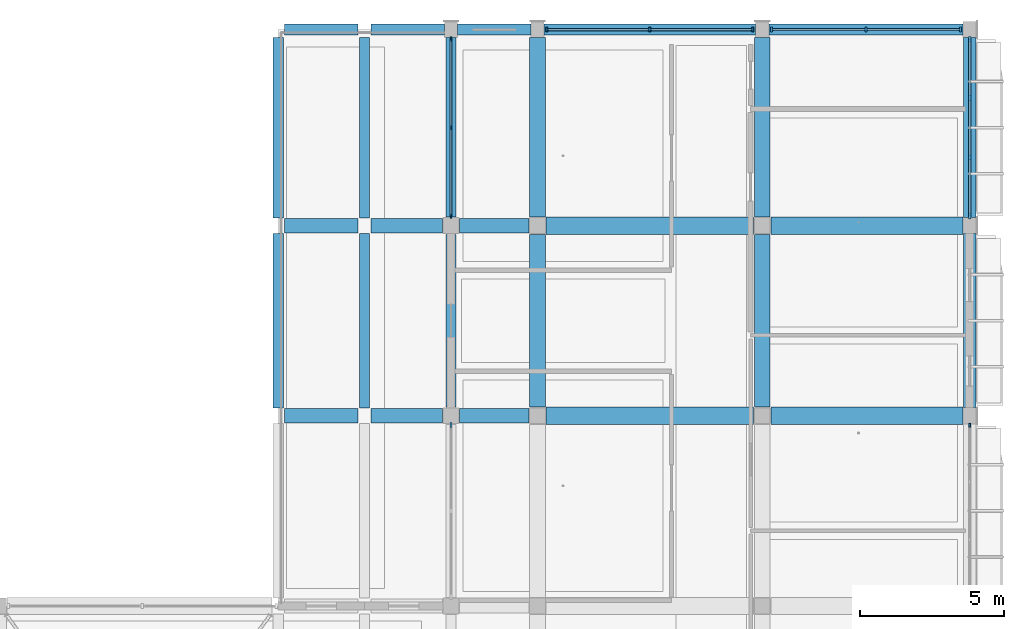
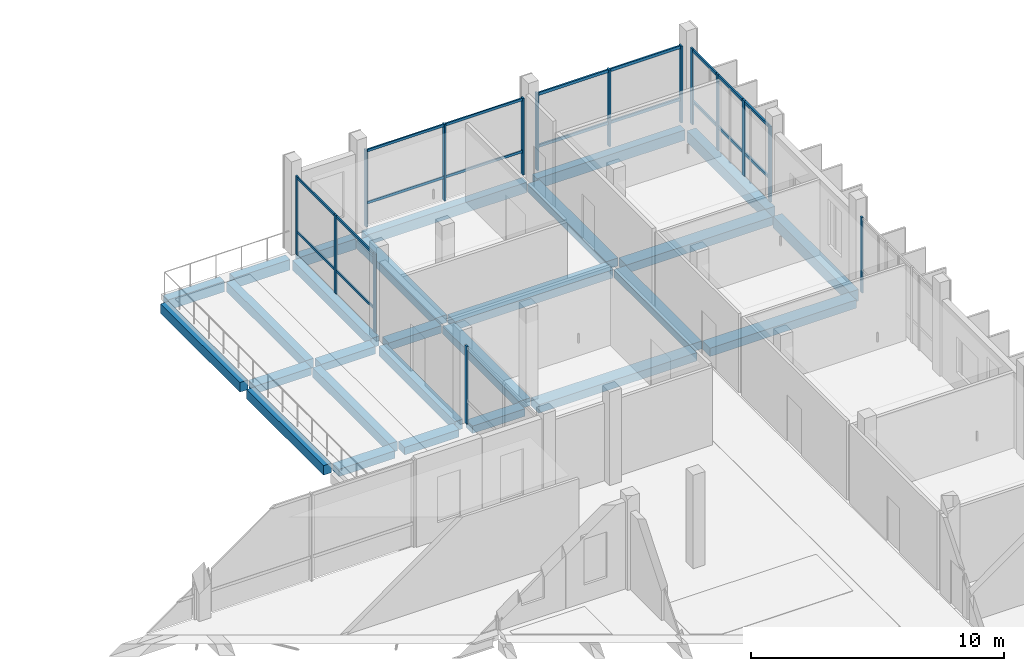
# One storey, part 42 of 95: 27 beams, 23 members, 6 elements without a shape of their own.
"""IFC4 building model written with IfcOpenShell, lengths in metres."""

from ifc_helpers import new_model, si_unit, derived_unit, direction, frame, origin, origin_2d, place, context, subcontext, project, spatial, rectangle, extrude, material, material_profile, profile_set, type_object, element, aggregate, save


model = new_model("IFC4")

# Units and contexts
model_context = context("Model", 3, precision=1e-05, world=origin(), true_north=direction((0.0, 1.0)))
body_context = subcontext(model_context, "Body", "Model", "MODEL_VIEW")
ifc_project = project(units=[si_unit("LENGTHUNIT", "METRE"), si_unit("AREAUNIT", "SQUARE_METRE"), si_unit("VOLUMEUNIT", "CUBIC_METRE"), si_unit("PLANEANGLEUNIT", "RADIAN"), si_unit("MASSUNIT", "GRAM", prefix="KILO"), derived_unit("THERMALTRANSMITTANCEUNIT", [(si_unit("POWERUNIT", "WATT"), 1), (si_unit("LENGTHUNIT", "METRE"), -2), (si_unit("THERMODYNAMICTEMPERATUREUNIT", "KELVIN"), -1)])], contexts=[model_context])

# Site, building, storey
site_placement = place(None, origin())
site = spatial("IfcSite", under=ifc_project, at=site_placement, CompositionType="ELEMENT")
building_placement = place(site_placement, origin())
building = spatial("IfcBuilding", under=site, at=building_placement, Name="Braskholm Square Health Centre", CompositionType="ELEMENT")
storey_placement = place(building_placement, frame((0.0, 0.0, 4.800048828125)))
storey = spatial("IfcBuildingStorey", under=building, at=storey_placement, Name="L02", CompositionType="ELEMENT", Elevation=4.800048828125)

# Curtain wall, member
ifc_material_1 = material(Name="Low-E triple insulating glass (VLT 0.64)", Category="glass")
curtain_wall_type_1 = type_object("IfcCurtainWallType", Name="UnitisedCurtainWall6200x3650", PredefinedType="NOTDEFINED", material=ifc_material_1)
curtain_wall_1_placement = place(storey_placement, origin())
curtain_wall_1 = element("IfcCurtainWall", 1, at=curtain_wall_1_placement, inside=storey, type_object=curtain_wall_type_1, Name="East Outer unitised curtain wall CW-L02-0058", PredefinedType="NOTDEFINED")
ifc_material_2 = material(Name="Architectural bronze anodised aluminium", Category="aluminium")
ifc_material_profile_1 = material_profile(ifc_material_2, rectangle(XDim=0.06494140625, YDim=0.14990234375, at=origin_2d()), Name="ALU-65X150")
ifc_profile_set_1 = profile_set([ifc_material_profile_1], Name="Architectural bronze anodised aluminium")
member_type_1 = type_object("IfcMemberType", Name="CurtainWallMullion65x150", PredefinedType="MULLION", material=ifc_profile_set_1)
member_1_placement = place(storey_placement, frame((163.800048828125, 100.073974609375, 0.0), z_axis=(0.0, 0.0, 1.0), x_axis=(1.0, 0.0, 0.0)))
member_1 = element("IfcMember", 2, at=member_1_placement, type_object=member_type_1, Name="CW-L02-0058 vertical mullion 4", PredefinedType="MULLION", context=body_context, shape_type="SweptSolid", body=[
    extrude(rectangle(XDim=0.06494140625, YDim=0.14990234375, at=origin_2d()), origin(), (0.0, 0.0, 1.0), 3.64990234375),
])
aggregate(curtain_wall_1, [member_1])

# Curtain wall, members
curtain_wall_type_2 = type_object("IfcCurtainWallType", Name="UnitisedCurtainWall6200x3800", PredefinedType="NOTDEFINED", material=ifc_material_1)
curtain_wall_2_placement = place(storey_placement, origin())
curtain_wall_2 = element("IfcCurtainWall", 3, at=curtain_wall_2_placement, inside=storey, type_object=curtain_wall_type_2, Name="East Valley unitised curtain wall CW-L02-0122", PredefinedType="NOTDEFINED")
member_2_placement = place(storey_placement, frame((145.800048828125, 113.47265625, 0.0), z_axis=(0.0, 0.0, 1.0), x_axis=(1.0, 0.0, 0.0)))
member_2 = element("IfcMember", 4, at=member_2_placement, type_object=member_type_1, Name="CW-L02-0122 vertical mullion 1", PredefinedType="MULLION", context=body_context, shape_type="SweptSolid", body=[
    extrude(rectangle(XDim=0.06494140625, YDim=0.14990234375, at=origin_2d()), origin(), (0.0, 0.0, 1.0), 3.7900390625),
])
member_3_placement = place(storey_placement, frame((145.800048828125, 110.3974609375, 0.0), z_axis=(0.0, 0.0, 1.0), x_axis=(1.0, 0.0, 0.0)))
member_3 = element("IfcMember", 5, at=member_3_placement, type_object=member_type_1, Name="CW-L02-0122 vertical mullion 2", PredefinedType="MULLION", context=body_context, shape_type="SweptSolid", body=[
    extrude(rectangle(XDim=0.06494140625, YDim=0.14990234375, at=origin_2d()), origin(), (0.0, 0.0, 1.0), 3.7900390625),
])
member_4_placement = place(storey_placement, frame((145.800048828125, 107.322509765625, 0.0), z_axis=(0.0, 0.0, 1.0), x_axis=(1.0, 0.0, 0.0)))
member_4 = element("IfcMember", 6, at=member_4_placement, type_object=member_type_1, Name="CW-L02-0122 vertical mullion 3", PredefinedType="MULLION", context=body_context, shape_type="SweptSolid", body=[
    extrude(rectangle(XDim=0.06494140625, YDim=0.14990234375, at=origin_2d()), origin(), (0.0, 0.0, 1.0), 3.7900390625),
])

curtain_wall_3_placement = place(storey_placement, origin())
curtain_wall_3 = element("IfcCurtainWall", 7, at=curtain_wall_3_placement, inside=storey, type_object=curtain_wall_type_1, Name="Wing End unitised curtain wall CW-L02-0166", PredefinedType="NOTDEFINED")
member_5_placement = place(storey_placement, frame((156.276611328125, 113.800048828125, 0.0), z_axis=(0.0, 0.0, 1.0), x_axis=(1.0, 0.0, 0.0)))
member_5 = element("IfcMember", 8, at=member_5_placement, type_object=member_type_1, Name="CW-L02-0166 vertical mullion 1", PredefinedType="MULLION", context=body_context, shape_type="SweptSolid", body=[
    extrude(rectangle(XDim=0.06494140625, YDim=0.14990234375, at=origin_2d()), origin(), (0.0, 0.0, 1.0), 3.699951171875),
])
member_6_placement = place(storey_placement, frame((152.699951171875, 113.800048828125, 0.0), z_axis=(0.0, 0.0, 1.0), x_axis=(1.0, 0.0, 0.0)))
member_6 = element("IfcMember", 9, at=member_6_placement, type_object=member_type_1, Name="CW-L02-0166 vertical mullion 2", PredefinedType="MULLION", context=body_context, shape_type="SweptSolid", body=[
    extrude(rectangle(XDim=0.06494140625, YDim=0.14990234375, at=origin_2d()), origin(), (0.0, 0.0, 1.0), 3.699951171875),
])
member_7_placement = place(storey_placement, frame((149.123291015625, 113.800048828125, 0.0), z_axis=(0.0, 0.0, 1.0), x_axis=(1.0, 0.0, 0.0)))
member_7 = element("IfcMember", 10, at=member_7_placement, type_object=member_type_1, Name="CW-L02-0166 vertical mullion 3", PredefinedType="MULLION", context=body_context, shape_type="SweptSolid", body=[
    extrude(rectangle(XDim=0.06494140625, YDim=0.14990234375, at=origin_2d()), origin(), (0.0, 0.0, 1.0), 3.699951171875),
])

curtain_wall_4_placement = place(storey_placement, origin())
curtain_wall_4 = element("IfcCurtainWall", 11, at=curtain_wall_4_placement, inside=storey, type_object=curtain_wall_type_1, Name="East Outer unitised curtain wall CW-L02-0059", PredefinedType="NOTDEFINED")
ifc_material_profile_2 = material_profile(ifc_material_2, rectangle(XDim=0.074951171875, YDim=0.179931640625, at=origin_2d()), Name="ALU-75X180")
ifc_profile_set_2 = profile_set([ifc_material_profile_2], Name="Architectural bronze anodised aluminium")
member_type_2 = type_object("IfcMemberType", Name="CurtainWallMullion75x180", PredefinedType="MULLION", material=ifc_profile_set_2)
member_8_placement = place(storey_placement, frame((163.800048828125, 107.327392578125, 0.0), z_axis=(0.0, 0.0, 1.0), x_axis=(1.0, 0.0, 0.0)))
member_8 = element("IfcMember", 12, at=member_8_placement, type_object=member_type_2, Name="CW-L02-0059 vertical mullion 1", PredefinedType="MULLION", context=body_context, shape_type="SweptSolid", body=[
    extrude(rectangle(XDim=0.074951171875, YDim=0.179931640625, at=origin_2d()), origin(), (0.0, 0.0, 1.0), 3.64990234375),
])
member_9_placement = place(storey_placement, frame((163.800048828125, 109.36328125, 0.0), z_axis=(0.0, 0.0, 1.0), x_axis=(1.0, 0.0, 0.0)))
member_9 = element("IfcMember", 13, at=member_9_placement, type_object=member_type_2, Name="CW-L02-0059 vertical mullion 2", PredefinedType="MULLION", context=body_context, shape_type="SweptSolid", body=[
    extrude(rectangle(XDim=0.074951171875, YDim=0.179931640625, at=origin_2d()), origin(), (0.0, 0.0, 1.0), 3.64990234375),
])
member_10_placement = place(storey_placement, frame((163.800048828125, 111.436767578125, 0.0), z_axis=(0.0, 0.0, 1.0), x_axis=(1.0, 0.0, 0.0)))
member_10 = element("IfcMember", 14, at=member_10_placement, type_object=member_type_2, Name="CW-L02-0059 vertical mullion 3", PredefinedType="MULLION", context=body_context, shape_type="SweptSolid", body=[
    extrude(rectangle(XDim=0.074951171875, YDim=0.179931640625, at=origin_2d()), origin(), (0.0, 0.0, 1.0), 3.64990234375),
])
member_11_placement = place(storey_placement, frame((163.800048828125, 113.47265625, 0.0), z_axis=(0.0, 0.0, 1.0), x_axis=(1.0, 0.0, 0.0)))
member_11 = element("IfcMember", 15, at=member_11_placement, type_object=member_type_2, Name="CW-L02-0059 vertical mullion 4", PredefinedType="MULLION", context=body_context, shape_type="SweptSolid", body=[
    extrude(rectangle(XDim=0.074951171875, YDim=0.179931640625, at=origin_2d()), origin(), (0.0, 0.0, 1.0), 3.64990234375),
])

# Curtain wall, member
curtain_wall_5_placement = place(storey_placement, origin())
curtain_wall_5 = element("IfcCurtainWall", 16, at=curtain_wall_5_placement, inside=storey, type_object=curtain_wall_type_2, Name="East Valley unitised curtain wall CW-L02-0121", PredefinedType="NOTDEFINED")
member_12_placement = place(storey_placement, frame((145.800048828125, 100.078857421875, 0.0), z_axis=(0.0, 0.0, 1.0), x_axis=(1.0, 0.0, 0.0)))
member_12 = element("IfcMember", 17, at=member_12_placement, type_object=member_type_2, Name="CW-L02-0121 vertical mullion 1", PredefinedType="MULLION", context=body_context, shape_type="SweptSolid", body=[
    extrude(rectangle(XDim=0.074951171875, YDim=0.179931640625, at=origin_2d()), origin(), (0.0, 0.0, 1.0), 3.739990234375),
])
aggregate(curtain_wall_5, [member_12])

# Curtain wall, members
curtain_wall_6_placement = place(storey_placement, origin())
curtain_wall_6 = element("IfcCurtainWall", 18, at=curtain_wall_6_placement, inside=storey, type_object=curtain_wall_type_1, Name="Wing End unitised curtain wall CW-L02-0165", PredefinedType="NOTDEFINED")
member_13_placement = place(storey_placement, frame((163.480224609375, 113.800048828125, 0.0), z_axis=(0.0, 0.0, 1.0), x_axis=(1.0, 0.0, 0.0)))
member_13 = element("IfcMember", 19, at=member_13_placement, type_object=member_type_2, Name="CW-L02-0165 vertical mullion 1", PredefinedType="MULLION", context=body_context, shape_type="SweptSolid", body=[
    extrude(rectangle(XDim=0.074951171875, YDim=0.179931640625, at=origin_2d()), origin(), (0.0, 0.0, 1.0), 3.699951171875),
])
member_14_placement = place(storey_placement, frame((160.199951171875, 113.800048828125, 0.0), z_axis=(0.0, 0.0, 1.0), x_axis=(1.0, 0.0, 0.0)))
member_14 = element("IfcMember", 20, at=member_14_placement, type_object=member_type_2, Name="CW-L02-0165 vertical mullion 2", PredefinedType="MULLION", context=body_context, shape_type="SweptSolid", body=[
    extrude(rectangle(XDim=0.074951171875, YDim=0.179931640625, at=origin_2d()), origin(), (0.0, 0.0, 1.0), 3.699951171875),
])
member_15_placement = place(storey_placement, frame((156.919921875, 113.800048828125, 0.0), z_axis=(0.0, 0.0, 1.0), x_axis=(1.0, 0.0, 0.0)))
member_15 = element("IfcMember", 21, at=member_15_placement, type_object=member_type_2, Name="CW-L02-0165 vertical mullion 3", PredefinedType="MULLION", context=body_context, shape_type="SweptSolid", body=[
    extrude(rectangle(XDim=0.074951171875, YDim=0.179931640625, at=origin_2d()), origin(), (0.0, 0.0, 1.0), 3.699951171875),
])

# Member
ifc_material_profile_3 = material_profile(ifc_material_2, rectangle(XDim=0.06494140625, YDim=0.1201171875, at=origin_2d()), Name="ALU-65X120")
ifc_profile_set_3 = profile_set([ifc_material_profile_3], Name="Architectural bronze anodised aluminium")
member_type_3 = type_object("IfcMemberType", Name="CurtainWallTransom65x120", PredefinedType="USERDEFINED", material=ifc_profile_set_3)
member_16_placement = place(storey_placement, frame((145.800048828125, 113.465087890625, 1.119873046875), z_axis=(0.0, -1.0, 0.0), x_axis=(1.0, 0.0, 0.0)))
member_16 = element("IfcMember", 22, at=member_16_placement, type_object=member_type_3, Name="CW-L02-0122 horizontal transom 1", ObjectType="TRANSOM", PredefinedType="USERDEFINED", context=body_context, shape_type="SweptSolid", body=[
    extrude(rectangle(XDim=0.06494140625, YDim=0.1201171875, at=origin_2d()), origin(), (0.0, 0.0, 1.0), 6.135009765625),
])

member_17_placement = place(storey_placement, frame((145.800048828125, 113.465087890625, 3.719970703125), z_axis=(0.0, -1.0, 0.0), x_axis=(1.0, 0.0, 0.0)))
member_17 = element("IfcMember", 23, at=member_17_placement, type_object=member_type_3, Name="CW-L02-0122 horizontal transom 2", ObjectType="TRANSOM", PredefinedType="USERDEFINED", context=body_context, shape_type="SweptSolid", body=[
    extrude(rectangle(XDim=0.06494140625, YDim=0.1201171875, at=origin_2d()), origin(), (0.0, 0.0, 1.0), 6.135009765625),
])

aggregate(curtain_wall_2, [member_2, member_3, member_4, member_16, member_17])

member_18_placement = place(storey_placement, frame((156.27490234375, 113.800048828125, 1.119873046875), z_axis=(-1.0, 0.0, 0.0), x_axis=(0.0, -1.0, 0.0)))
member_18 = element("IfcMember", 24, at=member_18_placement, type_object=member_type_3, Name="CW-L02-0166 horizontal transom 1", ObjectType="TRANSOM", PredefinedType="USERDEFINED", context=body_context, shape_type="SweptSolid", body=[
    extrude(rectangle(XDim=0.06494140625, YDim=0.1201171875, at=origin_2d()), origin(), (0.0, 0.0, 1.0), 7.14990234375),
])

member_19_placement = place(storey_placement, frame((156.27490234375, 113.800048828125, 3.6298828125), z_axis=(-1.0, 0.0, 0.0), x_axis=(0.0, -1.0, 0.0)))
member_19 = element("IfcMember", 25, at=member_19_placement, type_object=member_type_3, Name="CW-L02-0166 horizontal transom 2", ObjectType="TRANSOM", PredefinedType="USERDEFINED", context=body_context, shape_type="SweptSolid", body=[
    extrude(rectangle(XDim=0.06494140625, YDim=0.1201171875, at=origin_2d()), origin(), (0.0, 0.0, 1.0), 7.14990234375),
])

aggregate(curtain_wall_3, [member_5, member_6, member_7, member_18, member_19])

ifc_material_profile_4 = material_profile(ifc_material_2, rectangle(XDim=0.074951171875, YDim=0.139892578125, at=origin_2d()), Name="ALU-75X140")
ifc_profile_set_4 = profile_set([ifc_material_profile_4], Name="Architectural bronze anodised aluminium")
member_type_4 = type_object("IfcMemberType", Name="CurtainWallTransom75x140", PredefinedType="USERDEFINED", material=ifc_profile_set_4)
member_20_placement = place(storey_placement, frame((163.800048828125, 107.3349609375, 1.119873046875), z_axis=(0.0, 1.0, 0.0), x_axis=(-1.0, 0.0, 0.0)))
member_20 = element("IfcMember", 26, at=member_20_placement, type_object=member_type_4, Name="CW-L02-0059 horizontal transom 1", ObjectType="TRANSOM", PredefinedType="USERDEFINED", context=body_context, shape_type="SweptSolid", body=[
    extrude(rectangle(XDim=0.074951171875, YDim=0.139892578125, at=origin_2d()), origin(), (0.0, 0.0, 1.0), 6.130126953125),
])

member_21_placement = place(storey_placement, frame((163.800048828125, 107.3349609375, 3.579833984375), z_axis=(0.0, 1.0, 0.0), x_axis=(-1.0, 0.0, 0.0)))
member_21 = element("IfcMember", 27, at=member_21_placement, type_object=member_type_4, Name="CW-L02-0059 horizontal transom 2", ObjectType="TRANSOM", PredefinedType="USERDEFINED", context=body_context, shape_type="SweptSolid", body=[
    extrude(rectangle(XDim=0.074951171875, YDim=0.139892578125, at=origin_2d()), origin(), (0.0, 0.0, 1.0), 6.130126953125),
])

aggregate(curtain_wall_4, [member_8, member_9, member_10, member_11, member_20, member_21])

member_22_placement = place(storey_placement, frame((163.47509765625, 113.800048828125, 1.119873046875), z_axis=(-1.0, 0.0, 0.0), x_axis=(0.0, -1.0, 0.0)))
member_22 = element("IfcMember", 28, at=member_22_placement, type_object=member_type_4, Name="CW-L02-0165 horizontal transom 1", ObjectType="TRANSOM", PredefinedType="USERDEFINED", context=body_context, shape_type="SweptSolid", body=[
    extrude(rectangle(XDim=0.074951171875, YDim=0.139892578125, at=origin_2d()), origin(), (0.0, 0.0, 1.0), 6.550048828125),
])

member_23_placement = place(storey_placement, frame((163.47509765625, 113.800048828125, 3.6298828125), z_axis=(-1.0, 0.0, 0.0), x_axis=(0.0, -1.0, 0.0)))
member_23 = element("IfcMember", 29, at=member_23_placement, type_object=member_type_4, Name="CW-L02-0165 horizontal transom 2", ObjectType="TRANSOM", PredefinedType="USERDEFINED", context=body_context, shape_type="SweptSolid", body=[
    extrude(rectangle(XDim=0.074951171875, YDim=0.139892578125, at=origin_2d()), origin(), (0.0, 0.0, 1.0), 6.550048828125),
])

aggregate(curtain_wall_6, [member_13, member_14, member_15, member_22, member_23])

# Beams
ifc_material_3 = material(Name="Concrete C35/45 (f'c = 35 MPa)", Category="concrete")
ifc_material_profile_5 = material_profile(ifc_material_3, rectangle(XDim=0.5, YDim=0.360107421875, at=origin_2d()), Name="RCB-500X360")
ifc_profile_set_5 = profile_set([ifc_material_profile_5], Name="Concrete C35/45 (f'c = 35 MPa)")
beam_type_1 = type_object("IfcBeamType", Name="PrimaryBandBeam500x360", PredefinedType="BEAM", material=ifc_profile_set_5)
beam_1_placement = place(storey_placement, frame((140.02001953125, 100.39990234375, -0.429931640625), z_axis=(1.0, 0.0, 0.0), x_axis=(0.0, 1.0, 0.0)))
element("IfcBeam", 30, at=beam_1_placement, inside=storey, type_object=beam_type_1, Name="Beam 17-18/Q L02", PredefinedType="BEAM", context=body_context, shape_type="SweptSolid", body=[
    extrude(rectangle(XDim=0.5, YDim=0.360107421875, at=origin_2d()), origin(), (0.0, 0.0, 1.0), 2.56005859375),
])
beam_2_placement = place(storey_placement, frame((143.02001953125, 100.39990234375, -0.429931640625), z_axis=(1.0, 0.0, 0.0), x_axis=(0.0, 1.0, 0.0)))
element("IfcBeam", 31, at=beam_2_placement, inside=storey, type_object=beam_type_1, Name="Beam 18-19/Q L02", PredefinedType="BEAM", context=body_context, shape_type="SweptSolid", body=[
    extrude(rectangle(XDim=0.5, YDim=0.360107421875, at=origin_2d()), origin(), (0.0, 0.0, 1.0), 2.47998046875),
])
beam_3_placement = place(storey_placement, frame((146.10009765625, 100.39990234375, -0.47998046875), z_axis=(1.0, 0.0, 0.0), x_axis=(0.0, 1.0, 0.0)))
element("IfcBeam", 32, at=beam_3_placement, inside=storey, type_object=beam_type_1, Name="Beam 19-20/Q L02", PredefinedType="BEAM", context=body_context, shape_type="SweptSolid", body=[
    extrude(rectangle(XDim=0.5, YDim=0.360107421875, at=origin_2d()), origin(), (0.0, 0.0, 1.0), 2.39990234375),
])
beam_4_placement = place(storey_placement, frame((140.02001953125, 107.0, -0.429931640625), z_axis=(1.0, 0.0, 0.0), x_axis=(0.0, 1.0, 0.0)))
element("IfcBeam", 33, at=beam_4_placement, inside=storey, type_object=beam_type_1, Name="Beam 17-18/R L02", PredefinedType="BEAM", context=body_context, shape_type="SweptSolid", body=[
    extrude(rectangle(XDim=0.5, YDim=0.360107421875, at=origin_2d()), origin(), (0.0, 0.0, 1.0), 2.56005859375),
])
beam_5_placement = place(storey_placement, frame((143.02001953125, 107.0, -0.429931640625), z_axis=(1.0, 0.0, 0.0), x_axis=(0.0, 1.0, 0.0)))
element("IfcBeam", 34, at=beam_5_placement, inside=storey, type_object=beam_type_1, Name="Beam 18-19/R L02", PredefinedType="BEAM", context=body_context, shape_type="SweptSolid", body=[
    extrude(rectangle(XDim=0.5, YDim=0.360107421875, at=origin_2d()), origin(), (0.0, 0.0, 1.0), 2.47998046875),
])
beam_6_placement = place(storey_placement, frame((146.10009765625, 107.0, -0.47998046875), z_axis=(1.0, 0.0, 0.0), x_axis=(0.0, 1.0, 0.0)))
element("IfcBeam", 35, at=beam_6_placement, inside=storey, type_object=beam_type_1, Name="Beam 19-20/R L02", PredefinedType="BEAM", context=body_context, shape_type="SweptSolid", body=[
    extrude(rectangle(XDim=0.5, YDim=0.360107421875, at=origin_2d()), origin(), (0.0, 0.0, 1.0), 2.39990234375),
])
ifc_material_profile_6 = material_profile(ifc_material_3, rectangle(XDim=0.550048828125, YDim=0.3798828125, at=origin_2d()), Name="RCB-550X380")
ifc_profile_set_6 = profile_set([ifc_material_profile_6], Name="Concrete C35/45 (f'c = 35 MPa)")
beam_type_2 = type_object("IfcBeamType", Name="PrimaryBandBeam550x380", PredefinedType="BEAM", material=ifc_profile_set_6)
beam_7_placement = place(storey_placement, frame((148.800048828125, 100.699951171875, -0.489990234375), z_axis=(0.0, 1.0, 0.0), x_axis=(-1.0, 0.0, 0.0)))
element("IfcBeam", 36, at=beam_7_placement, inside=storey, type_object=beam_type_2, Name="Beam 20/Q-R L02", PredefinedType="BEAM", context=body_context, shape_type="SweptSolid", body=[
    extrude(rectangle(XDim=0.550048828125, YDim=0.3798828125, at=origin_2d()), origin(), (0.0, 0.0, 1.0), 6.0),
])
beam_8_placement = place(storey_placement, frame((148.800048828125, 107.300048828125, -0.489990234375), z_axis=(0.0, 1.0, 0.0), x_axis=(-1.0, 0.0, 0.0)))
element("IfcBeam", 37, at=beam_8_placement, inside=storey, type_object=beam_type_2, Name="Beam 20/R-S L02", PredefinedType="BEAM", context=body_context, shape_type="SweptSolid", body=[
    extrude(rectangle(XDim=0.550048828125, YDim=0.3798828125, at=origin_2d()), origin(), (0.0, 0.0, 1.0), 6.219970703125),
])
beam_9_placement = place(storey_placement, frame((156.60009765625, 100.699951171875, -0.489990234375), z_axis=(0.0, 1.0, 0.0), x_axis=(-1.0, 0.0, 0.0)))
element("IfcBeam", 38, at=beam_9_placement, inside=storey, type_object=beam_type_2, Name="Beam 21/Q-R L02", PredefinedType="BEAM", context=body_context, shape_type="SweptSolid", body=[
    extrude(rectangle(XDim=0.550048828125, YDim=0.3798828125, at=origin_2d()), origin(), (0.0, 0.0, 1.0), 6.0),
])
beam_10_placement = place(storey_placement, frame((156.60009765625, 107.300048828125, -0.489990234375), z_axis=(0.0, 1.0, 0.0), x_axis=(-1.0, 0.0, 0.0)))
element("IfcBeam", 39, at=beam_10_placement, inside=storey, type_object=beam_type_2, Name="Beam 21/R-S L02", PredefinedType="BEAM", context=body_context, shape_type="SweptSolid", body=[
    extrude(rectangle(XDim=0.550048828125, YDim=0.3798828125, at=origin_2d()), origin(), (0.0, 0.0, 1.0), 6.219970703125),
])
ifc_material_profile_7 = material_profile(ifc_material_3, rectangle(XDim=0.60009765625, YDim=0.39990234375, at=origin_2d()), Name="RCB-600X400")
ifc_profile_set_7 = profile_set([ifc_material_profile_7], Name="Concrete C35/45 (f'c = 35 MPa)")
beam_type_3 = type_object("IfcBeamType", Name="PrimaryBandBeam600x400", PredefinedType="BEAM", material=ifc_profile_set_7)
beam_11_placement = place(storey_placement, frame((149.10009765625, 100.39990234375, -0.5), z_axis=(1.0, 0.0, 0.0), x_axis=(0.0, 1.0, 0.0)))
element("IfcBeam", 40, at=beam_11_placement, inside=storey, type_object=beam_type_3, Name="Beam 20-21/Q L02", PredefinedType="BEAM", context=body_context, shape_type="SweptSolid", body=[
    extrude(rectangle(XDim=0.60009765625, YDim=0.39990234375, at=origin_2d()), origin(), (0.0, 0.0, 1.0), 7.199951171875),
])
beam_12_placement = place(storey_placement, frame((156.89990234375, 100.39990234375, -0.5), z_axis=(1.0, 0.0, 0.0), x_axis=(0.0, 1.0, 0.0)))
element("IfcBeam", 41, at=beam_12_placement, inside=storey, type_object=beam_type_3, Name="Beam 21-22/Q L02", PredefinedType="BEAM", context=body_context, shape_type="SweptSolid", body=[
    extrude(rectangle(XDim=0.60009765625, YDim=0.39990234375, at=origin_2d()), origin(), (0.0, 0.0, 1.0), 6.670166015625),
])
beam_13_placement = place(storey_placement, frame((149.10009765625, 107.0, -0.5), z_axis=(1.0, 0.0, 0.0), x_axis=(0.0, 1.0, 0.0)))
element("IfcBeam", 42, at=beam_13_placement, inside=storey, type_object=beam_type_3, Name="Beam 20-21/R L02", PredefinedType="BEAM", context=body_context, shape_type="SweptSolid", body=[
    extrude(rectangle(XDim=0.60009765625, YDim=0.39990234375, at=origin_2d()), origin(), (0.0, 0.0, 1.0), 7.199951171875),
])
beam_14_placement = place(storey_placement, frame((156.89990234375, 107.0, -0.5), z_axis=(1.0, 0.0, 0.0), x_axis=(0.0, 1.0, 0.0)))
element("IfcBeam", 43, at=beam_14_placement, inside=storey, type_object=beam_type_3, Name="Beam 21-22/R L02", PredefinedType="BEAM", context=body_context, shape_type="SweptSolid", body=[
    extrude(rectangle(XDim=0.60009765625, YDim=0.39990234375, at=origin_2d()), origin(), (0.0, 0.0, 1.0), 6.670166015625),
])
ifc_material_4 = material(Name="Precast concrete C40/50 architectural white", Category="concrete")
ifc_material_profile_8 = material_profile(ifc_material_4, rectangle(XDim=0.3798828125, YDim=0.5, at=origin_2d()), Name="RCB-380X500")
ifc_profile_set_8 = profile_set([ifc_material_profile_8], Name="Precast concrete C40/50 architectural white")
beam_type_4 = type_object("IfcBeamType", Name="SpandrelPrecastEdge380x500", PredefinedType="SPANDREL", material=ifc_profile_set_8)
beam_15_placement = place(storey_placement, frame((140.02001953125, 113.800048828125, -0.5), z_axis=(1.0, 0.0, 0.0), x_axis=(0.0, 1.0, 0.0)))
element("IfcBeam", 44, at=beam_15_placement, inside=storey, type_object=beam_type_4, Name="Beam 17-18/S L02", PredefinedType="SPANDREL", context=body_context, shape_type="SweptSolid", body=[
    extrude(rectangle(XDim=0.3798828125, YDim=0.5, at=origin_2d()), origin(), (0.0, 0.0, 1.0), 2.56005859375),
])
beam_16_placement = place(storey_placement, frame((143.02001953125, 113.800048828125, -0.5), z_axis=(1.0, 0.0, 0.0), x_axis=(0.0, 1.0, 0.0)))
element("IfcBeam", 45, at=beam_16_placement, inside=storey, type_object=beam_type_4, Name="Beam 18-19/S L02", PredefinedType="SPANDREL", context=body_context, shape_type="SweptSolid", body=[
    extrude(rectangle(XDim=0.3798828125, YDim=0.5, at=origin_2d()), origin(), (0.0, 0.0, 1.0), 2.550048828125),
])
beam_17_placement = place(storey_placement, frame((146.030029296875, 113.800048828125, -0.550048828125), z_axis=(1.0, 0.0, 0.0), x_axis=(0.0, 1.0, 0.0)))
element("IfcBeam", 46, at=beam_17_placement, inside=storey, type_object=beam_type_4, Name="Beam 19-20/S L02", PredefinedType="SPANDREL", context=body_context, shape_type="SweptSolid", body=[
    extrude(rectangle(XDim=0.3798828125, YDim=0.5, at=origin_2d()), origin(), (0.0, 0.0, 1.0), 2.5400390625),
])
beam_18_placement = place(storey_placement, frame((149.030029296875, 113.800048828125, -0.550048828125), z_axis=(1.0, 0.0, 0.0), x_axis=(0.0, 1.0, 0.0)))
element("IfcBeam", 47, at=beam_18_placement, inside=storey, type_object=beam_type_4, Name="Beam 20-21/S L02", PredefinedType="SPANDREL", context=body_context, shape_type="SweptSolid", body=[
    extrude(rectangle(XDim=0.3798828125, YDim=0.5, at=origin_2d()), origin(), (0.0, 0.0, 1.0), 7.340087890625),
])
beam_19_placement = place(storey_placement, frame((156.830078125, 113.800048828125, -0.550048828125), z_axis=(1.0, 0.0, 0.0), x_axis=(0.0, 1.0, 0.0)))
element("IfcBeam", 48, at=beam_19_placement, inside=storey, type_object=beam_type_4, Name="Beam 21-22/S L02", PredefinedType="SPANDREL", context=body_context, shape_type="SweptSolid", body=[
    extrude(rectangle(XDim=0.3798828125, YDim=0.5, at=origin_2d()), origin(), (0.0, 0.0, 1.0), 6.739990234375),
])
ifc_material_profile_9 = material_profile(ifc_material_4, rectangle(XDim=0.419921875, YDim=0.550048828125, at=origin_2d()), Name="RCB-420X550")
ifc_profile_set_9 = profile_set([ifc_material_profile_9], Name="Precast concrete C40/50 architectural white")
beam_type_5 = type_object("IfcBeamType", Name="SpandrelPrecastLedge420x550", PredefinedType="SPANDREL", material=ifc_profile_set_9)
beam_20_placement = place(storey_placement, frame((163.800048828125, 100.679931640625, -0.574951171875), z_axis=(0.0, 1.0, 0.0), x_axis=(-1.0, 0.0, 0.0)))
element("IfcBeam", 49, at=beam_20_placement, inside=storey, type_object=beam_type_5, Name="Beam 22/Q-R L02", PredefinedType="SPANDREL", context=body_context, shape_type="SweptSolid", body=[
    extrude(rectangle(XDim=0.419921875, YDim=0.550048828125, at=origin_2d()), origin(), (0.0, 0.0, 1.0), 6.0400390625),
])
beam_21_placement = place(storey_placement, frame((163.800048828125, 107.280029296875, -0.574951171875), z_axis=(0.0, 1.0, 0.0), x_axis=(-1.0, 0.0, 0.0)))
element("IfcBeam", 50, at=beam_21_placement, inside=storey, type_object=beam_type_5, Name="Beam 22/R-S L02", PredefinedType="SPANDREL", context=body_context, shape_type="SweptSolid", body=[
    extrude(rectangle(XDim=0.419921875, YDim=0.550048828125, at=origin_2d()), origin(), (0.0, 0.0, 1.0), 6.239990234375),
])
ifc_material_profile_10 = material_profile(ifc_material_4, rectangle(XDim=0.360107421875, YDim=0.4599609375, at=origin_2d()), Name="RCB-360X460")
ifc_profile_set_10 = profile_set([ifc_material_profile_10], Name="Precast concrete C40/50 architectural white")
beam_type_6 = type_object("IfcBeamType", Name="SpandrelTerraceEdge360x460", PredefinedType="SPANDREL", material=ifc_profile_set_10)
beam_22_placement = place(storey_placement, frame((139.800048828125, 100.669921875, -0.47998046875), z_axis=(0.0, 1.0, 0.0), x_axis=(-1.0, 0.0, 0.0)))
element("IfcBeam", 51, at=beam_22_placement, inside=storey, type_object=beam_type_6, Name="Beam 17/Q-R L02", PredefinedType="SPANDREL", context=body_context, shape_type="SweptSolid", body=[
    extrude(rectangle(XDim=0.360107421875, YDim=0.4599609375, at=origin_2d()), origin(), (0.0, 0.0, 1.0), 6.06005859375),
])
beam_23_placement = place(storey_placement, frame((139.800048828125, 107.27001953125, -0.47998046875), z_axis=(0.0, 1.0, 0.0), x_axis=(-1.0, 0.0, 0.0)))
element("IfcBeam", 52, at=beam_23_placement, inside=storey, type_object=beam_type_6, Name="Beam 17/R-S L02", PredefinedType="SPANDREL", context=body_context, shape_type="SweptSolid", body=[
    extrude(rectangle(XDim=0.360107421875, YDim=0.4599609375, at=origin_2d()), origin(), (0.0, 0.0, 1.0), 6.260009765625),
])
beam_24_placement = place(storey_placement, frame((142.800048828125, 100.669921875, -0.47998046875), z_axis=(0.0, 1.0, 0.0), x_axis=(-1.0, 0.0, 0.0)))
element("IfcBeam", 53, at=beam_24_placement, inside=storey, type_object=beam_type_6, Name="Beam 18/Q-R L02", PredefinedType="SPANDREL", context=body_context, shape_type="SweptSolid", body=[
    extrude(rectangle(XDim=0.360107421875, YDim=0.4599609375, at=origin_2d()), origin(), (0.0, 0.0, 1.0), 6.06005859375),
])
beam_25_placement = place(storey_placement, frame((142.800048828125, 107.27001953125, -0.47998046875), z_axis=(0.0, 1.0, 0.0), x_axis=(-1.0, 0.0, 0.0)))
element("IfcBeam", 54, at=beam_25_placement, inside=storey, type_object=beam_type_6, Name="Beam 18/R-S L02", PredefinedType="SPANDREL", context=body_context, shape_type="SweptSolid", body=[
    extrude(rectangle(XDim=0.360107421875, YDim=0.4599609375, at=origin_2d()), origin(), (0.0, 0.0, 1.0), 6.260009765625),
])
beam_26_placement = place(storey_placement, frame((145.800048828125, 100.699951171875, -0.47998046875), z_axis=(0.0, 1.0, 0.0), x_axis=(-1.0, 0.0, 0.0)))
element("IfcBeam", 55, at=beam_26_placement, inside=storey, type_object=beam_type_6, Name="Beam 19/Q-R L02", PredefinedType="SPANDREL", context=body_context, shape_type="SweptSolid", body=[
    extrude(rectangle(XDim=0.360107421875, YDim=0.4599609375, at=origin_2d()), origin(), (0.0, 0.0, 1.0), 6.0),
])
beam_27_placement = place(storey_placement, frame((145.800048828125, 107.300048828125, -0.47998046875), z_axis=(0.0, 1.0, 0.0), x_axis=(-1.0, 0.0, 0.0)))
element("IfcBeam", 56, at=beam_27_placement, inside=storey, type_object=beam_type_6, Name="Beam 19/R-S L02", PredefinedType="SPANDREL", context=body_context, shape_type="SweptSolid", body=[
    extrude(rectangle(XDim=0.360107421875, YDim=0.4599609375, at=origin_2d()), origin(), (0.0, 0.0, 1.0), 6.219970703125),
])

save(model, "model.ifc")
